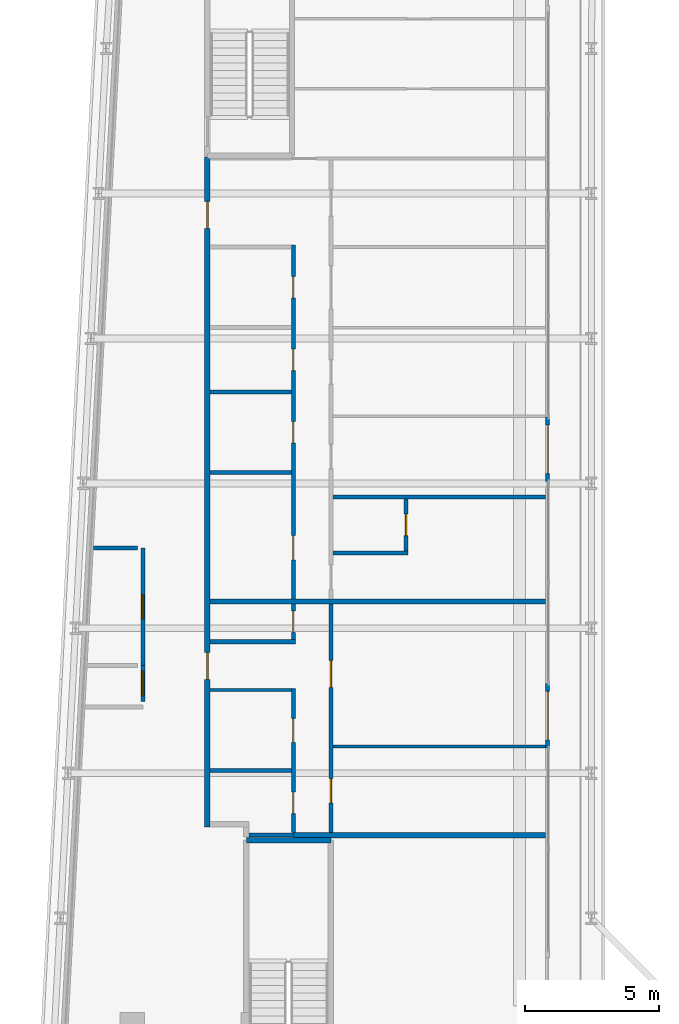
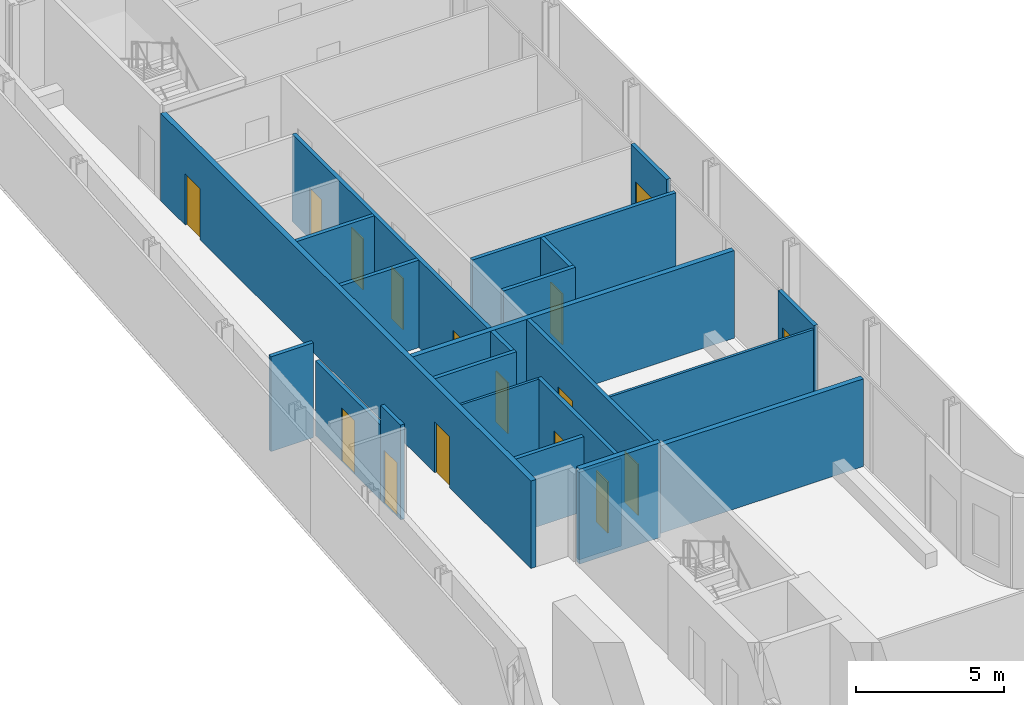
# One storey, part 17 of 28: 23 walls, 16 doors, 16 openings.
"""IFC4 building model written with IfcOpenShell, lengths in metres."""

from ifc_helpers import new_model, si_unit, direction, frame, frame_2d, origin, place, context, subcontext, project, spatial, rectangle, extrude, source, transform, mapped, material, layer, layer_set, type_object, element, fill, save


model = new_model("IFC4")

# Units and contexts
model_context = context("Model", 3, precision=1e-05, world=origin(), true_north=direction((0.0, 1.0)))
body_context = subcontext(model_context, "Body", "Model", "MODEL_VIEW")
ifc_project = project(units=[si_unit("LENGTHUNIT", "METRE"), si_unit("AREAUNIT", "SQUARE_METRE"), si_unit("VOLUMEUNIT", "CUBIC_METRE"), si_unit("PLANEANGLEUNIT", "RADIAN"), si_unit("MASSUNIT", "GRAM", prefix="KILO")], contexts=[model_context])

# Site, building, storey
site_placement = place(None, origin())
site = spatial("IfcSite", under=ifc_project, at=site_placement, CompositionType="ELEMENT")
building_placement = place(site_placement, origin())
building = spatial("IfcBuilding", under=site, at=building_placement, Name="Kheshtan School and Residences Tower", CompositionType="ELEMENT")
storey_placement = place(building_placement, frame((0.0, 0.0, 94.10009765625)))
storey = spatial("IfcBuildingStorey", under=building, at=storey_placement, Name="L21", CompositionType="ELEMENT", Elevation=94.10009765625)

# Wall, openings, doors
ifc_material_1 = material(Name="Gypsum board on steel studs with fire boards", Category="steel")
ifc_layer_1 = layer(ifc_material_1, 0.199951171875)
ifc_layer_set_1 = layer_set([ifc_layer_1], Name="Corridor wall 200")
wall_type_1 = type_object("IfcWallType", Name="Corridor wall 200", PredefinedType="PARTITIONING", material=ifc_layer_set_1)
wall_1_placement = place(storey_placement, frame((33.300048828125, 54.39990234375, 0.0), z_axis=(0.0, 0.0, 1.0), x_axis=(0.0, 1.0, 0.0)))
wall_1 = element("IfcWall", 1, at=wall_1_placement, inside=storey, type_object=wall_type_1, Name="Partition L21-001", PredefinedType="PARTITIONING", context=body_context, shape_type="SweptSolid", body=[
    extrude(rectangle(XDim=24.9501953125, YDim=0.199951171875, at=frame_2d((12.47509765625, 0.0))), origin(), (0.0, 0.0, 1.0), 3.599853515625),
])
opening_1_placement = place(wall_1_placement, frame((5.5, 0.0, 0.0)))
opening_1 = element("IfcOpeningElement", 2, at=opening_1_placement, cuts=wall_1, Name="Opening D21-031", PredefinedType="OPENING", context=body_context, shape_type="SweptSolid", body=[
    extrude(rectangle(XDim=1.0, YDim=2.10009765625, at=frame_2d((0.5, 1.050048828125))), frame((0.0, 0.10986328125, 0.0), z_axis=(0.0, -1.0, 0.0), x_axis=(1.0, 0.0, 0.0)), (0.0, 0.0, 1.0), 0.219970703125),
])
opening_2_placement = place(wall_1_placement, frame((22.300048828125, 0.0, 0.0)))
opening_2 = element("IfcOpeningElement", 3, at=opening_2_placement, cuts=wall_1, Name="Opening D21-040", PredefinedType="OPENING", context=body_context, shape_type="SweptSolid", body=[
    extrude(rectangle(XDim=1.0, YDim=2.10009765625, at=frame_2d((0.5, 1.050048828125))), frame((0.0, 0.10986328125, 0.0), z_axis=(0.0, -1.0, 0.0), x_axis=(1.0, 0.0, 0.0)), (0.0, 0.0, 1.0), 0.219970703125),
])
ifc_material_2 = material(Name="Steel-framed fire-resisting door leaf", Category="steel")
door_type_1 = type_object("IfcDoorType", Name="Fire door FD30S 1000 x 2100", OperationType="SINGLE_SWING_LEFT", PredefinedType="DOOR", material=ifc_material_2)
shared_shape_1 = source(origin(), body_context, "Body", "SweptSolid", [
    extrude(rectangle(XDim=1.0, YDim=2.10009765625, at=frame_2d((0.5, 1.050048828125))), frame((0.0, 0.02490234375, 0.0), z_axis=(0.0, -1.0, 0.0), x_axis=(1.0, 0.0, 0.0)), (0.0, 0.0, 1.0), 0.050048828125),
])
door_1_placement = place(opening_1_placement, origin())
door_1 = element("IfcDoor", 4, at=door_1_placement, inside=storey, type_object=door_type_1, Name="Door D21-031", OperationType="SINGLE_SWING_RIGHT", OverallHeight=2.10009765625, OverallWidth=1.0, PredefinedType="DOOR", context=body_context, shape_type="MappedRepresentation", body=[
    mapped(shared_shape_1, transform((0.0, 0.0, 0.0), x_axis=(1.0, 0.0, 0.0), y_axis=(0.0, 1.0, 0.0), z_axis=(0.0, 0.0, 1.0), scale=1.0)),
])
fill(opening_1, door_1)
door_2_placement = place(opening_2_placement, origin())
door_2 = element("IfcDoor", 5, at=door_2_placement, inside=storey, type_object=door_type_1, Name="Door D21-040", OperationType="SINGLE_SWING_RIGHT", OverallHeight=2.10009765625, OverallWidth=1.0, PredefinedType="DOOR", context=body_context, shape_type="MappedRepresentation", body=[
    mapped(shared_shape_1, transform((0.0, 0.0, 0.0), x_axis=(1.0, 0.0, 0.0), y_axis=(0.0, 1.0, 0.0), z_axis=(0.0, 0.0, 1.0), scale=1.0)),
])
fill(opening_2, door_2)

# Wall, opening, door
ifc_material_3 = material(Name="Aluminium frame wall with insulated infill", Category="aluminium")
ifc_layer_2 = layer(ifc_material_3, 0.14990234375)
ifc_layer_set_2 = layer_set([ifc_layer_2], Name="Glazing frame wall 150")
wall_type_2 = type_object("IfcWallType", Name="Glazing frame wall 150", PredefinedType="SOLIDWALL", material=ifc_layer_set_2)
wall_2_placement = place(storey_placement, frame((45.97509765625, 69.6650390625, 0.0), z_axis=(0.0, 0.0, 1.0), x_axis=(0.0, -1.0, 0.0)))
wall_2 = element("IfcWall", 6, at=wall_2_placement, inside=storey, type_object=wall_type_2, Name="Balcony door wall L21 4.2", PredefinedType="SOLIDWALL", context=body_context, shape_type="SweptSolid", body=[
    extrude(rectangle(XDim=2.400146484375, YDim=0.14990234375, at=frame_2d((1.2001953125, 0.0))), origin(), (0.0, 0.0, 1.0), 3.75),
])
opening_3_placement = place(wall_2_placement, frame((0.300048828125, 0.0, 0.0)))
opening_3 = element("IfcOpeningElement", 7, at=opening_3_placement, cuts=wall_2, Name="Opening BD", PredefinedType="OPENING", context=body_context, shape_type="SweptSolid", body=[
    extrude(rectangle(XDim=1.800048828125, YDim=2.39990234375, at=frame_2d((0.89990234375, 1.199951171875))), frame((0.0, 0.0849609375, 0.0), z_axis=(0.0, -1.0, 0.0), x_axis=(1.0, 0.0, 0.0)), (0.0, 0.0, 1.0), 0.169921875),
])
ifc_material_4 = material(Name="Clear low-e glass in thermally broken aluminium frame", Category="aluminium")
door_type_2 = type_object("IfcDoorType", Name="Balcony sliding door", OperationType="SLIDING_TO_LEFT", PredefinedType="DOOR", material=ifc_material_4)
shared_shape_2 = source(origin(), body_context, "Body", "SweptSolid", [
    extrude(rectangle(XDim=1.800048828125, YDim=2.39990234375, at=frame_2d((0.89990234375, 1.199951171875))), frame((0.0, 0.02490234375, 0.0), z_axis=(0.0, -1.0, 0.0), x_axis=(1.0, 0.0, 0.0)), (0.0, 0.0, 1.0), 0.050048828125),
])
door_3_placement = place(opening_3_placement, origin())
door_3 = element("IfcDoor", 8, at=door_3_placement, inside=storey, type_object=door_type_2, Name="Balcony door L21 4.2", OperationType="SLIDING_TO_LEFT", OverallHeight=2.39990234375, OverallWidth=1.800048828125, PredefinedType="DOOR", context=body_context, shape_type="MappedRepresentation", body=[
    mapped(shared_shape_2, transform((0.0, 0.0, 0.0), x_axis=(1.0, 0.0, 0.0), y_axis=(0.0, 1.0, 0.0), z_axis=(0.0, 0.0, 1.0), scale=1.0)),
])
fill(opening_3, door_3)

wall_3_placement = place(storey_placement, frame((45.97509765625, 59.748046875, 0.0), z_axis=(0.0, 0.0, 1.0), x_axis=(0.0, -1.0, 0.0)))
wall_3 = element("IfcWall", 9, at=wall_3_placement, inside=storey, type_object=wall_type_2, Name="Balcony door wall L21 4.3", PredefinedType="SOLIDWALL", context=body_context, shape_type="SweptSolid", body=[
    extrude(rectangle(XDim=2.401123046875, YDim=0.14990234375, at=frame_2d((1.20068359375, 0.0))), origin(), (0.0, 0.0, 1.0), 3.75),
])
opening_4_placement = place(wall_3_placement, frame((0.300048828125, 0.0, 0.0)))
opening_4 = element("IfcOpeningElement", 10, at=opening_4_placement, cuts=wall_3, Name="Opening BD", PredefinedType="OPENING", context=body_context, shape_type="SweptSolid", body=[
    extrude(rectangle(XDim=1.800048828125, YDim=2.39990234375, at=frame_2d((0.89990234375, 1.199951171875))), frame((0.0, 0.0849609375, 0.0), z_axis=(0.0, -1.0, 0.0), x_axis=(1.0, 0.0, 0.0)), (0.0, 0.0, 1.0), 0.169921875),
])
door_4_placement = place(opening_4_placement, origin())
door_4 = element("IfcDoor", 11, at=door_4_placement, inside=storey, type_object=door_type_2, Name="Balcony door L21 4.3", OperationType="SLIDING_TO_LEFT", OverallHeight=2.39990234375, OverallWidth=1.800048828125, PredefinedType="DOOR", context=body_context, shape_type="MappedRepresentation", body=[
    mapped(shared_shape_2, transform((0.0, 0.0, 0.0), x_axis=(1.0, 0.0, 0.0), y_axis=(0.0, 1.0, 0.0), z_axis=(0.0, 0.0, 1.0), scale=1.0)),
])
fill(opening_4, door_4)

# Walls
ifc_material_5 = material(Name="Gypsum board on steel studs", Category="steel")
ifc_layer_3 = layer(ifc_material_5, 0.10009765625)
ifc_layer_set_3 = layer_set([ifc_layer_3], Name="Gypsum partition 100")
wall_type_3 = type_object("IfcWallType", Name="Gypsum partition 100", PredefinedType="PARTITIONING", material=ifc_layer_set_3)
wall_4_placement = place(storey_placement, frame((33.39990234375, 59.5, 0.0), z_axis=(0.0, 0.0, 1.0), x_axis=(1.0, 0.0, 0.0)))
element("IfcWall", 12, at=wall_4_placement, inside=storey, type_object=wall_type_3, Name="Partition L21-004", PredefinedType="PARTITIONING", context=body_context, shape_type="SweptSolid", body=[
    extrude(rectangle(XDim=3.025146484375, YDim=0.10009765625, at=frame_2d((1.5126953125, 0.0))), origin(), (0.0, 0.0, 1.0), 3.599853515625),
])
wall_5_placement = place(storey_placement, frame((37.97509765625, 57.39990234375, 0.0), z_axis=(0.0, 0.0, 1.0), x_axis=(1.0, 0.0, 0.0)))
element("IfcWall", 13, at=wall_5_placement, inside=storey, type_object=wall_type_3, Name="Partition L21-022", PredefinedType="PARTITIONING", context=body_context, shape_type="SweptSolid", body=[
    extrude(rectangle(XDim=7.9248046875, YDim=0.10009765625, at=frame_2d((3.96240234375, 0.0))), origin(), (0.0, 0.0, 1.0), 3.599853515625),
])

# Wall, opening, door
ifc_material_6 = material(Name="Fire-board shaft wall system")
ifc_layer_4 = layer(ifc_material_6, 0.14990234375)
ifc_layer_set_4 = layer_set([ifc_layer_4], Name="Service room wall 150")
wall_type_4 = type_object("IfcWallType", Name="Service room wall 150", PredefinedType="PARTITIONING", material=ifc_layer_set_4)
wall_6_placement = place(storey_placement, frame((30.89990234375, 59.06689453125, 0.0), z_axis=(0.0, 0.0, 1.0), x_axis=(0.0, 1.0, 0.0)))
wall_6 = element("IfcWall", 14, at=wall_6_placement, inside=storey, type_object=wall_type_4, Name="Service room wall", PredefinedType="PARTITIONING", context=body_context, shape_type="SweptSolid", body=[
    extrude(rectangle(XDim=1.34716796875, YDim=0.14990234375, at=frame_2d((0.673583984375, 0.0))), origin(), (0.0, 0.0, 1.0), 3.89990234375),
])
opening_5_placement = place(wall_6_placement, frame((0.22607421875, 0.0, 0.0)))
opening_5 = element("IfcOpeningElement", 15, at=opening_5_placement, cuts=wall_6, Name="Opening SR90", PredefinedType="OPENING", context=body_context, shape_type="SweptSolid", body=[
    extrude(rectangle(XDim=0.89990234375, YDim=2.199951171875, at=frame_2d((0.449951171875, 1.10009765625))), frame((0.0, 0.0849609375, 0.0), z_axis=(0.0, -1.0, 0.0), x_axis=(1.0, 0.0, 0.0)), (0.0, 0.0, 1.0), 0.169921875),
])
ifc_material_7 = material(Name="Steel door leaf, galvanised", Category="steel")
door_type_3 = type_object("IfcDoorType", Name="Service room door 900 steel 90 min", OperationType="SINGLE_SWING_LEFT", PredefinedType="DOOR", material=ifc_material_7)
shared_shape_3 = source(origin(), body_context, "Body", "SweptSolid", [
    extrude(rectangle(XDim=0.89990234375, YDim=2.199951171875, at=frame_2d((0.449951171875, 1.10009765625))), frame((0.0, 0.02490234375, 0.0), z_axis=(0.0, -1.0, 0.0), x_axis=(1.0, 0.0, 0.0)), (0.0, 0.0, 1.0), 0.050048828125),
])
door_5_placement = place(opening_5_placement, origin())
door_5 = element("IfcDoor", 16, at=door_5_placement, inside=storey, type_object=door_type_3, Name="Service room door", OperationType="SINGLE_SWING_LEFT", OverallHeight=2.199951171875, OverallWidth=0.89990234375, PredefinedType="DOOR", context=body_context, shape_type="MappedRepresentation", body=[
    mapped(shared_shape_3, transform((0.0, 0.0, 0.0), x_axis=(1.0, 0.0, 0.0), y_axis=(0.0, 1.0, 0.0), z_axis=(0.0, 0.0, 1.0), scale=1.0)),
])
fill(opening_5, door_5)

wall_7_placement = place(storey_placement, frame((30.89990234375, 60.4140625, 0.0), z_axis=(0.0, 0.0, 1.0), x_axis=(0.0, 1.0, 0.0)))
wall_7 = element("IfcWall", 17, at=wall_7_placement, inside=storey, type_object=wall_type_4, Name="Service room wall", PredefinedType="PARTITIONING", context=body_context, shape_type="SweptSolid", body=[
    extrude(rectangle(XDim=4.385986328125, YDim=0.14990234375, at=frame_2d((2.19287109375, 0.0))), origin(), (0.0, 0.0, 1.0), 3.072021484375),
])
opening_6_placement = place(wall_7_placement, frame((1.742919921875, 0.0, 0.0)))
opening_6 = element("IfcOpeningElement", 18, at=opening_6_placement, cuts=wall_7, Name="Opening SR90", PredefinedType="OPENING", context=body_context, shape_type="SweptSolid", body=[
    extrude(rectangle(XDim=0.89990234375, YDim=2.199951171875, at=frame_2d((0.449951171875, 1.10009765625))), frame((0.0, 0.0849609375, 0.0), z_axis=(0.0, -1.0, 0.0), x_axis=(1.0, 0.0, 0.0)), (0.0, 0.0, 1.0), 0.169921875),
])
door_6_placement = place(opening_6_placement, origin())
door_6 = element("IfcDoor", 19, at=door_6_placement, inside=storey, type_object=door_type_3, Name="Service room door", OperationType="SINGLE_SWING_LEFT", OverallHeight=2.199951171875, OverallWidth=0.89990234375, PredefinedType="DOOR", context=body_context, shape_type="MappedRepresentation", body=[
    mapped(shared_shape_3, transform((0.0, 0.0, 0.0), x_axis=(1.0, 0.0, 0.0), y_axis=(0.0, 1.0, 0.0), z_axis=(0.0, 0.0, 1.0), scale=1.0)),
])
fill(opening_6, door_6)

# Walls
wall_8_placement = place(storey_placement, frame((29.051025390625, 64.800048828125, 0.0), z_axis=(0.0, 0.0, 1.0), x_axis=(1.0, 0.0, 0.0)))
element("IfcWall", 20, at=wall_8_placement, inside=storey, type_object=wall_type_4, Name="Service room wall", PredefinedType="PARTITIONING", context=body_context, shape_type="SweptSolid", body=[
    extrude(rectangle(XDim=1.654052734375, YDim=0.14990234375, at=frame_2d((0.8271484375, 0.0))), origin(), (0.0, 0.0, 1.0), 3.89990234375),
])
ifc_material_8 = material(Name="Concrete C40/50", Category="concrete")
ifc_layer_5 = layer(ifc_material_8, 0.199951171875)
ifc_layer_set_5 = layer_set([ifc_layer_5], Name="Stair enclosure wall 200 Concrete C40/50")
wall_type_5 = type_object("IfcWallType", Name="Stair enclosure wall 200 Concrete C40/50", PredefinedType="SHEAR", material=ifc_layer_set_5)
wall_9_placement = place(storey_placement, frame((34.75, 53.909912109375, 0.0), z_axis=(0.0, 0.0, 1.0), x_axis=(1.0, 0.0, 0.0)))
element("IfcWall", 21, at=wall_9_placement, inside=storey, type_object=wall_type_5, Name="Stair enclosure wall ST2", PredefinedType="SHEAR", context=body_context, shape_type="SweptSolid", body=[
    extrude(rectangle(XDim=3.14990234375, YDim=0.199951171875, at=frame_2d((1.574951171875, 0.0))), origin(), (0.0, 0.0, 1.0), 3.89990234375),
])
ifc_material_9 = material(Name="Twin gypsum board on steel studs with mineral wool", Category="steel")
ifc_layer_6 = layer(ifc_material_9, 0.199951171875)
ifc_layer_set_6 = layer_set([ifc_layer_6], Name="Unit demising wall 200")
wall_type_6 = type_object("IfcWallType", Name="Unit demising wall 200", PredefinedType="PARTITIONING", material=ifc_layer_set_6)
wall_10_placement = place(storey_placement, frame((33.39990234375, 62.800048828125, 0.0), z_axis=(0.0, 0.0, 1.0), x_axis=(1.0, 0.0, 0.0)))
element("IfcWall", 22, at=wall_10_placement, inside=storey, type_object=wall_type_6, Name="Partition L21-006", PredefinedType="PARTITIONING", context=body_context, shape_type="SweptSolid", body=[
    extrude(rectangle(XDim=12.5, YDim=0.199951171875, at=frame_2d((6.25, 0.0))), origin(), (0.0, 0.0, 1.0), 3.599853515625),
])
wall_11_placement = place(storey_placement, frame((36.5, 54.10009765625, 0.0), z_axis=(0.0, 0.0, 1.0), x_axis=(1.0, 0.0, 0.0)))
element("IfcWall", 23, at=wall_11_placement, inside=storey, type_object=wall_type_6, Name="Partition L21-014", PredefinedType="PARTITIONING", context=body_context, shape_type="SweptSolid", body=[
    extrude(rectangle(XDim=9.39990234375, YDim=0.199951171875, at=frame_2d((4.699951171875, 0.0))), origin(), (0.0, 0.0, 1.0), 3.599853515625),
])
ifc_material_10 = material(Name="Moisture-resistant gypsum board on steel studs", Category="steel")
ifc_layer_7 = layer(ifc_material_10, 0.14990234375)
ifc_layer_set_7 = layer_set([ifc_layer_7], Name="Wet-room partition 150")
wall_type_7 = type_object("IfcWallType", Name="Wet-room partition 150", PredefinedType="PARTITIONING", material=ifc_layer_set_7)
wall_12_placement = place(storey_placement, frame((33.39990234375, 56.5, 0.0), z_axis=(0.0, 0.0, 1.0), x_axis=(1.0, 0.0, 0.0)))
element("IfcWall", 24, at=wall_12_placement, inside=storey, type_object=wall_type_7, Name="Partition L21-003", PredefinedType="PARTITIONING", context=body_context, shape_type="SweptSolid", body=[
    extrude(rectangle(XDim=3.025146484375, YDim=0.14990234375, at=frame_2d((1.5126953125, 0.0))), origin(), (0.0, 0.0, 1.0), 3.072021484375),
])
wall_13_placement = place(storey_placement, frame((33.39990234375, 61.300048828125, 0.0), z_axis=(0.0, 0.0, 1.0), x_axis=(1.0, 0.0, 0.0)))
element("IfcWall", 25, at=wall_13_placement, inside=storey, type_object=wall_type_7, Name="Partition L21-005", PredefinedType="PARTITIONING", context=body_context, shape_type="SweptSolid", body=[
    extrude(rectangle(XDim=3.175048828125, YDim=0.14990234375, at=frame_2d((1.58740234375, 0.0))), origin(), (0.0, 0.0, 1.0), 3.599853515625),
])
for number, where, z_axis, x_axis, name in (
    (26, (33.39990234375, 67.60009765625, 0.0), (0.0, 0.0, 1.0), (1.0, 0.0, 0.0), "Partition L21-007"),
    (27, (33.39990234375, 70.60009765625, 0.0), (0.0, 0.0, 1.0), (1.0, 0.0, 0.0), "Partition L21-008"),
):
    element("IfcWall", number, at=place(storey_placement, frame(where, z_axis=z_axis, x_axis=x_axis)), inside=storey, type_object=wall_type_7, Name=name, PredefinedType="PARTITIONING", context=body_context, shape_type="SweptSolid", body=[
        extrude(rectangle(XDim=3.025146484375, YDim=0.14990234375, at=frame_2d((1.5126953125, 0.0))), origin(), (0.0, 0.0, 1.0), 3.599853515625),
    ])
wall_14_placement = place(storey_placement, frame((34.85009765625, 54.10009765625, 0.0), z_axis=(0.0, 0.0, 1.0), x_axis=(1.0, 0.0, 0.0)))
element("IfcWall", 28, at=wall_14_placement, inside=storey, type_object=wall_type_7, Name="Partition L21-013", PredefinedType="PARTITIONING", context=body_context, shape_type="SweptSolid", body=[
    extrude(rectangle(XDim=1.64990234375, YDim=0.14990234375, at=frame_2d((0.824951171875, 0.0))), origin(), (0.0, 0.0, 1.0), 3.599853515625),
])

# Wall, openings, doors
wall_15_placement = place(storey_placement, frame((36.5, 54.199951171875, 0.0), z_axis=(0.0, 0.0, 1.0), x_axis=(0.0, 1.0, 0.0)))
wall_15 = element("IfcWall", 29, at=wall_15_placement, inside=storey, type_object=wall_type_7, Name="Partition L21-015", PredefinedType="PARTITIONING", context=body_context, shape_type="SweptSolid", body=[
    extrude(rectangle(XDim=5.35009765625, YDim=0.14990234375, at=frame_2d((2.675048828125, 0.0))), origin(), (0.0, 0.0, 1.0), 3.599853515625),
])
opening_7_placement = place(wall_15_placement, frame((0.699951171875, 0.0, 0.0)))
opening_7 = element("IfcOpeningElement", 30, at=opening_7_placement, cuts=wall_15, Name="Opening D21-029", PredefinedType="OPENING", context=body_context, shape_type="SweptSolid", body=[
    extrude(rectangle(XDim=0.800048828125, YDim=2.10009765625, at=frame_2d((0.39990234375, 1.050048828125))), frame((0.0, 0.0849609375, 0.0), z_axis=(0.0, -1.0, 0.0), x_axis=(1.0, 0.0, 0.0)), (0.0, 0.0, 1.0), 0.169921875),
])
opening_8_placement = place(wall_15_placement, frame((3.35009765625, 0.0, 0.0)))
opening_8 = element("IfcOpeningElement", 31, at=opening_8_placement, cuts=wall_15, Name="Opening D21-032", PredefinedType="OPENING", context=body_context, shape_type="SweptSolid", body=[
    extrude(rectangle(XDim=0.89990234375, YDim=2.10009765625, at=frame_2d((0.449951171875, 1.050048828125))), frame((0.0, 0.0849609375, 0.0), z_axis=(0.0, -1.0, 0.0), x_axis=(1.0, 0.0, 0.0)), (0.0, 0.0, 1.0), 0.169921875),
])
ifc_material_11 = material(Name="Veneered timber door leaf", Category="wood")
door_type_4 = type_object("IfcDoorType", Name="Door 800 x 2100", OperationType="SINGLE_SWING_LEFT", PredefinedType="DOOR", material=ifc_material_11)
shared_shape_4 = source(origin(), body_context, "Body", "SweptSolid", [
    extrude(rectangle(XDim=0.800048828125, YDim=2.10009765625, at=frame_2d((0.39990234375, 1.050048828125))), frame((0.0, 0.02490234375, 0.0), z_axis=(0.0, -1.0, 0.0), x_axis=(1.0, 0.0, 0.0)), (0.0, 0.0, 1.0), 0.050048828125),
])
door_7_placement = place(opening_7_placement, origin())
door_7 = element("IfcDoor", 32, at=door_7_placement, inside=storey, type_object=door_type_4, Name="Door D21-029", OperationType="SINGLE_SWING_LEFT", OverallHeight=2.10009765625, OverallWidth=0.800048828125, PredefinedType="DOOR", context=body_context, shape_type="MappedRepresentation", body=[
    mapped(shared_shape_4, transform((0.0, 0.0, 0.0), x_axis=(1.0, 0.0, 0.0), y_axis=(0.0, 1.0, 0.0), z_axis=(0.0, 0.0, 1.0), scale=1.0)),
])
fill(opening_7, door_7)
door_type_5 = type_object("IfcDoorType", Name="Door 900 x 2100", OperationType="SINGLE_SWING_LEFT", PredefinedType="DOOR", material=ifc_material_11)
shared_shape_5 = source(origin(), body_context, "Body", "SweptSolid", [
    extrude(rectangle(XDim=0.89990234375, YDim=2.10009765625, at=frame_2d((0.449951171875, 1.050048828125))), frame((0.0, 0.02490234375, 0.0), z_axis=(0.0, -1.0, 0.0), x_axis=(1.0, 0.0, 0.0)), (0.0, 0.0, 1.0), 0.050048828125),
])
door_8_placement = place(opening_8_placement, origin())
door_8 = element("IfcDoor", 33, at=door_8_placement, inside=storey, type_object=door_type_5, Name="Door D21-032", OperationType="SINGLE_SWING_RIGHT", OverallHeight=2.10009765625, OverallWidth=0.89990234375, PredefinedType="DOOR", context=body_context, shape_type="MappedRepresentation", body=[
    mapped(shared_shape_5, transform((0.0, 0.0, 0.0), x_axis=(1.0, 0.0, 0.0), y_axis=(0.0, 1.0, 0.0), z_axis=(0.0, 0.0, 1.0), scale=1.0)),
])
fill(opening_8, door_8)

# Wall, opening, door
wall_16_placement = place(storey_placement, frame((36.5, 61.375, 0.0), z_axis=(0.0, 0.0, 1.0), x_axis=(0.0, 1.0, 0.0)))
wall_16 = element("IfcWall", 34, at=wall_16_placement, inside=storey, type_object=wall_type_7, Name="Partition L21-016", PredefinedType="PARTITIONING", context=body_context, shape_type="SweptSolid", body=[
    extrude(rectangle(XDim=1.324951171875, YDim=0.14990234375, at=frame_2d((0.66259765625, 0.0))), origin(), (0.0, 0.0, 1.0), 3.599853515625),
])
opening_9_placement = place(wall_16_placement, frame((0.27490234375, 0.0, 0.0)))
opening_9 = element("IfcOpeningElement", 35, at=opening_9_placement, cuts=wall_16, Name="Opening D21-034", PredefinedType="OPENING", context=body_context, shape_type="SweptSolid", body=[
    extrude(rectangle(XDim=0.800048828125, YDim=2.10009765625, at=frame_2d((0.39990234375, 1.050048828125))), frame((0.0, 0.0849609375, 0.0), z_axis=(0.0, -1.0, 0.0), x_axis=(1.0, 0.0, 0.0)), (0.0, 0.0, 1.0), 0.169921875),
])
door_9_placement = place(opening_9_placement, origin())
door_9 = element("IfcDoor", 36, at=door_9_placement, inside=storey, type_object=door_type_4, Name="Door D21-034", OperationType="SINGLE_SWING_LEFT", OverallHeight=2.10009765625, OverallWidth=0.800048828125, PredefinedType="DOOR", context=body_context, shape_type="MappedRepresentation", body=[
    mapped(shared_shape_4, transform((0.0, 0.0, 0.0), x_axis=(1.0, 0.0, 0.0), y_axis=(0.0, 1.0, 0.0), z_axis=(0.0, 0.0, 1.0), scale=1.0)),
])
fill(opening_9, door_9)

# Wall, openings, doors
wall_17_placement = place(storey_placement, frame((36.5, 62.89990234375, 0.0), z_axis=(0.0, 0.0, 1.0), x_axis=(0.0, 1.0, 0.0)))
wall_17 = element("IfcWall", 37, at=wall_17_placement, inside=storey, type_object=wall_type_7, Name="Partition L21-017", PredefinedType="PARTITIONING", context=body_context, shape_type="SweptSolid", body=[
    extrude(rectangle(XDim=13.175048828125, YDim=0.14990234375, at=frame_2d((6.58740234375, 0.0))), origin(), (0.0, 0.0, 1.0), 3.599853515625),
])
opening_10_placement = place(wall_17_placement, frame((5.800048828125, 0.0, 0.0)))
opening_10 = element("IfcOpeningElement", 38, at=opening_10_placement, cuts=wall_17, Name="Opening D21-035", PredefinedType="OPENING", context=body_context, shape_type="SweptSolid", body=[
    extrude(rectangle(XDim=0.800048828125, YDim=2.10009765625, at=frame_2d((0.39990234375, 1.050048828125))), frame((0.0, 0.0849609375, 0.0), z_axis=(0.0, -1.0, 0.0), x_axis=(1.0, 0.0, 0.0)), (0.0, 0.0, 1.0), 0.169921875),
])
opening_11_placement = place(wall_17_placement, frame((11.199951171875, 0.0, 0.0)))
opening_11 = element("IfcOpeningElement", 39, at=opening_11_placement, cuts=wall_17, Name="Opening D21-036", PredefinedType="OPENING", context=body_context, shape_type="SweptSolid", body=[
    extrude(rectangle(XDim=0.800048828125, YDim=2.10009765625, at=frame_2d((0.39990234375, 1.050048828125))), frame((0.0, 0.0849609375, 0.0), z_axis=(0.0, -1.0, 0.0), x_axis=(1.0, 0.0, 0.0)), (0.0, 0.0, 1.0), 0.169921875),
])
opening_12_placement = place(wall_17_placement, frame((1.449951171875, 0.0, 0.0)))
opening_12 = element("IfcOpeningElement", 40, at=opening_12_placement, cuts=wall_17, Name="Opening D21-041", PredefinedType="OPENING", context=body_context, shape_type="SweptSolid", body=[
    extrude(rectangle(XDim=0.89990234375, YDim=2.10009765625, at=frame_2d((0.449951171875, 1.050048828125))), frame((0.0, 0.0849609375, 0.0), z_axis=(0.0, -1.0, 0.0), x_axis=(1.0, 0.0, 0.0)), (0.0, 0.0, 1.0), 0.169921875),
])
opening_13_placement = place(wall_17_placement, frame((8.5, 0.0, 0.0)))
opening_13 = element("IfcOpeningElement", 41, at=opening_13_placement, cuts=wall_17, Name="Opening D21-045", PredefinedType="OPENING", context=body_context, shape_type="SweptSolid", body=[
    extrude(rectangle(XDim=0.800048828125, YDim=2.10009765625, at=frame_2d((0.39990234375, 1.050048828125))), frame((0.0, 0.0849609375, 0.0), z_axis=(0.0, -1.0, 0.0), x_axis=(1.0, 0.0, 0.0)), (0.0, 0.0, 1.0), 0.169921875),
])
door_10_placement = place(opening_10_placement, origin())
door_10 = element("IfcDoor", 42, at=door_10_placement, inside=storey, type_object=door_type_4, Name="Door D21-035", OperationType="SINGLE_SWING_RIGHT", OverallHeight=2.10009765625, OverallWidth=0.800048828125, PredefinedType="DOOR", context=body_context, shape_type="MappedRepresentation", body=[
    mapped(shared_shape_4, transform((0.0, 0.0, 0.0), x_axis=(1.0, 0.0, 0.0), y_axis=(0.0, 1.0, 0.0), z_axis=(0.0, 0.0, 1.0), scale=1.0)),
])
fill(opening_10, door_10)
door_11_placement = place(opening_11_placement, origin())
door_11 = element("IfcDoor", 43, at=door_11_placement, inside=storey, type_object=door_type_4, Name="Door D21-036", OperationType="SINGLE_SWING_RIGHT", OverallHeight=2.10009765625, OverallWidth=0.800048828125, PredefinedType="DOOR", context=body_context, shape_type="MappedRepresentation", body=[
    mapped(shared_shape_4, transform((0.0, 0.0, 0.0), x_axis=(1.0, 0.0, 0.0), y_axis=(0.0, 1.0, 0.0), z_axis=(0.0, 0.0, 1.0), scale=1.0)),
])
fill(opening_11, door_11)
door_12_placement = place(opening_13_placement, origin())
door_12 = element("IfcDoor", 44, at=door_12_placement, inside=storey, type_object=door_type_4, Name="Door D21-045", OperationType="SINGLE_SWING_LEFT", OverallHeight=2.10009765625, OverallWidth=0.800048828125, PredefinedType="DOOR", context=body_context, shape_type="MappedRepresentation", body=[
    mapped(shared_shape_4, transform((0.0, 0.0, 0.0), x_axis=(1.0, 0.0, 0.0), y_axis=(0.0, 1.0, 0.0), z_axis=(0.0, 0.0, 1.0), scale=1.0)),
])
fill(opening_13, door_12)
door_13_placement = place(opening_12_placement, origin())
door_13 = element("IfcDoor", 45, at=door_13_placement, inside=storey, type_object=door_type_5, Name="Door D21-041", OperationType="SINGLE_SWING_LEFT", OverallHeight=2.10009765625, OverallWidth=0.89990234375, PredefinedType="DOOR", context=body_context, shape_type="MappedRepresentation", body=[
    mapped(shared_shape_5, transform((0.0, 0.0, 0.0), x_axis=(1.0, 0.0, 0.0), y_axis=(0.0, 1.0, 0.0), z_axis=(0.0, 0.0, 1.0), scale=1.0)),
])
fill(opening_12, door_13)

wall_18_placement = place(storey_placement, frame((37.89990234375, 54.199951171875, 0.0), z_axis=(0.0, 0.0, 1.0), x_axis=(0.0, 1.0, 0.0)))
wall_18 = element("IfcWall", 46, at=wall_18_placement, inside=storey, type_object=wall_type_7, Name="Partition L21-020", PredefinedType="PARTITIONING", context=body_context, shape_type="SweptSolid", body=[
    extrude(rectangle(XDim=8.5, YDim=0.14990234375, at=frame_2d((4.25, 0.0))), origin(), (0.0, 0.0, 1.0), 3.599853515625),
])
opening_14_placement = place(wall_18_placement, frame((1.10009765625, 0.0, 0.0)))
opening_14 = element("IfcOpeningElement", 47, at=opening_14_placement, cuts=wall_18, Name="Opening D21-030", PredefinedType="OPENING", context=body_context, shape_type="SweptSolid", body=[
    extrude(rectangle(XDim=0.89990234375, YDim=2.10009765625, at=frame_2d((0.449951171875, 1.050048828125))), frame((0.0, 0.0849609375, 0.0), z_axis=(0.0, -1.0, 0.0), x_axis=(1.0, 0.0, 0.0)), (0.0, 0.0, 1.0), 0.169921875),
])
opening_15_placement = place(wall_18_placement, frame((5.39990234375, 0.0, 0.0)))
opening_15 = element("IfcOpeningElement", 48, at=opening_15_placement, cuts=wall_18, Name="Opening D21-033", PredefinedType="OPENING", context=body_context, shape_type="SweptSolid", body=[
    extrude(rectangle(XDim=1.0, YDim=2.10009765625, at=frame_2d((0.5, 1.050048828125))), frame((0.0, 0.0849609375, 0.0), z_axis=(0.0, -1.0, 0.0), x_axis=(1.0, 0.0, 0.0)), (0.0, 0.0, 1.0), 0.169921875),
])
door_type_6 = type_object("IfcDoorType", Name="Door 1000 x 2100", OperationType="SINGLE_SWING_LEFT", PredefinedType="DOOR", material=ifc_material_11)
shared_shape_6 = source(origin(), body_context, "Body", "SweptSolid", [
    extrude(rectangle(XDim=1.0, YDim=2.10009765625, at=frame_2d((0.5, 1.050048828125))), frame((0.0, 0.02490234375, 0.0), z_axis=(0.0, -1.0, 0.0), x_axis=(1.0, 0.0, 0.0)), (0.0, 0.0, 1.0), 0.050048828125),
])
door_14_placement = place(opening_15_placement, origin())
door_14 = element("IfcDoor", 49, at=door_14_placement, inside=storey, type_object=door_type_6, Name="Door D21-033", OperationType="SINGLE_SWING_RIGHT", OverallHeight=2.10009765625, OverallWidth=1.0, PredefinedType="DOOR", context=body_context, shape_type="MappedRepresentation", body=[
    mapped(shared_shape_6, transform((0.0, 0.0, 0.0), x_axis=(1.0, 0.0, 0.0), y_axis=(0.0, 1.0, 0.0), z_axis=(0.0, 0.0, 1.0), scale=1.0)),
])
fill(opening_15, door_14)
door_15_placement = place(opening_14_placement, origin())
door_15 = element("IfcDoor", 50, at=door_15_placement, inside=storey, type_object=door_type_5, Name="Door D21-030", OperationType="SINGLE_SWING_LEFT", OverallHeight=2.10009765625, OverallWidth=0.89990234375, PredefinedType="DOOR", context=body_context, shape_type="MappedRepresentation", body=[
    mapped(shared_shape_5, transform((0.0, 0.0, 0.0), x_axis=(1.0, 0.0, 0.0), y_axis=(0.0, 1.0, 0.0), z_axis=(0.0, 0.0, 1.0), scale=1.0)),
])
fill(opening_14, door_15)

# Walls
wall_19_placement = place(storey_placement, frame((37.97509765625, 64.60009765625, 0.0), z_axis=(0.0, 0.0, 1.0), x_axis=(1.0, 0.0, 0.0)))
element("IfcWall", 51, at=wall_19_placement, inside=storey, type_object=wall_type_7, Name="Partition L21-023", PredefinedType="PARTITIONING", context=body_context, shape_type="SweptSolid", body=[
    extrude(rectangle(XDim=2.7998046875, YDim=0.14990234375, at=frame_2d((1.39990234375, 0.0))), origin(), (0.0, 0.0, 1.0), 3.599853515625),
])
wall_20_placement = place(storey_placement, frame((37.97509765625, 66.699951171875, 0.0), z_axis=(0.0, 0.0, 1.0), x_axis=(1.0, 0.0, 0.0)))
element("IfcWall", 52, at=wall_20_placement, inside=storey, type_object=wall_type_7, Name="Partition L21-024", PredefinedType="PARTITIONING", context=body_context, shape_type="SweptSolid", body=[
    extrude(rectangle(XDim=7.9248046875, YDim=0.14990234375, at=frame_2d((3.96240234375, 0.0))), origin(), (0.0, 0.0, 1.0), 3.599853515625),
])

# Wall, opening, door
wall_21_placement = place(storey_placement, frame((40.699951171875, 64.675048828125, 0.0), z_axis=(0.0, 0.0, 1.0), x_axis=(0.0, 1.0, 0.0)))
wall_21 = element("IfcWall", 53, at=wall_21_placement, inside=storey, type_object=wall_type_7, Name="Partition L21-029", PredefinedType="PARTITIONING", context=body_context, shape_type="SweptSolid", body=[
    extrude(rectangle(XDim=1.949951171875, YDim=0.14990234375, at=frame_2d((0.97509765625, 0.0))), origin(), (0.0, 0.0, 1.0), 3.599853515625),
])
opening_16_placement = place(wall_21_placement, frame((0.574951171875, 0.0, 0.0)))
opening_16 = element("IfcOpeningElement", 54, at=opening_16_placement, cuts=wall_21, Name="Opening D21-039", PredefinedType="OPENING", context=body_context, shape_type="SweptSolid", body=[
    extrude(rectangle(XDim=0.800048828125, YDim=2.10009765625, at=frame_2d((0.39990234375, 1.050048828125))), frame((0.0, 0.0849609375, 0.0), z_axis=(0.0, -1.0, 0.0), x_axis=(1.0, 0.0, 0.0)), (0.0, 0.0, 1.0), 0.169921875),
])
door_16_placement = place(opening_16_placement, origin())
door_16 = element("IfcDoor", 55, at=door_16_placement, inside=storey, type_object=door_type_4, Name="Door D21-039", OperationType="SINGLE_SWING_RIGHT", OverallHeight=2.10009765625, OverallWidth=0.800048828125, PredefinedType="DOOR", context=body_context, shape_type="MappedRepresentation", body=[
    mapped(shared_shape_4, transform((0.0, 0.0, 0.0), x_axis=(1.0, 0.0, 0.0), y_axis=(0.0, 1.0, 0.0), z_axis=(0.0, 0.0, 1.0), scale=1.0)),
])
fill(opening_16, door_16)

save(model, "model.ifc")
